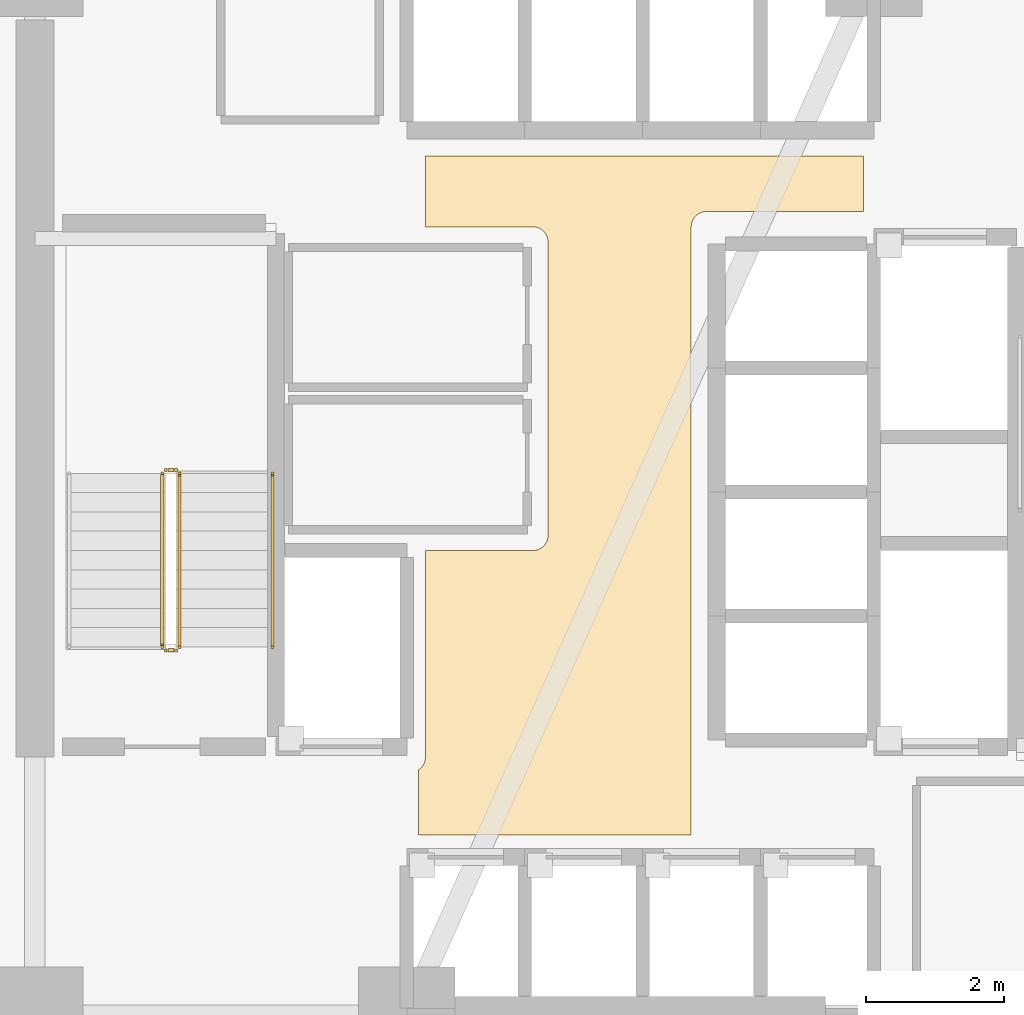
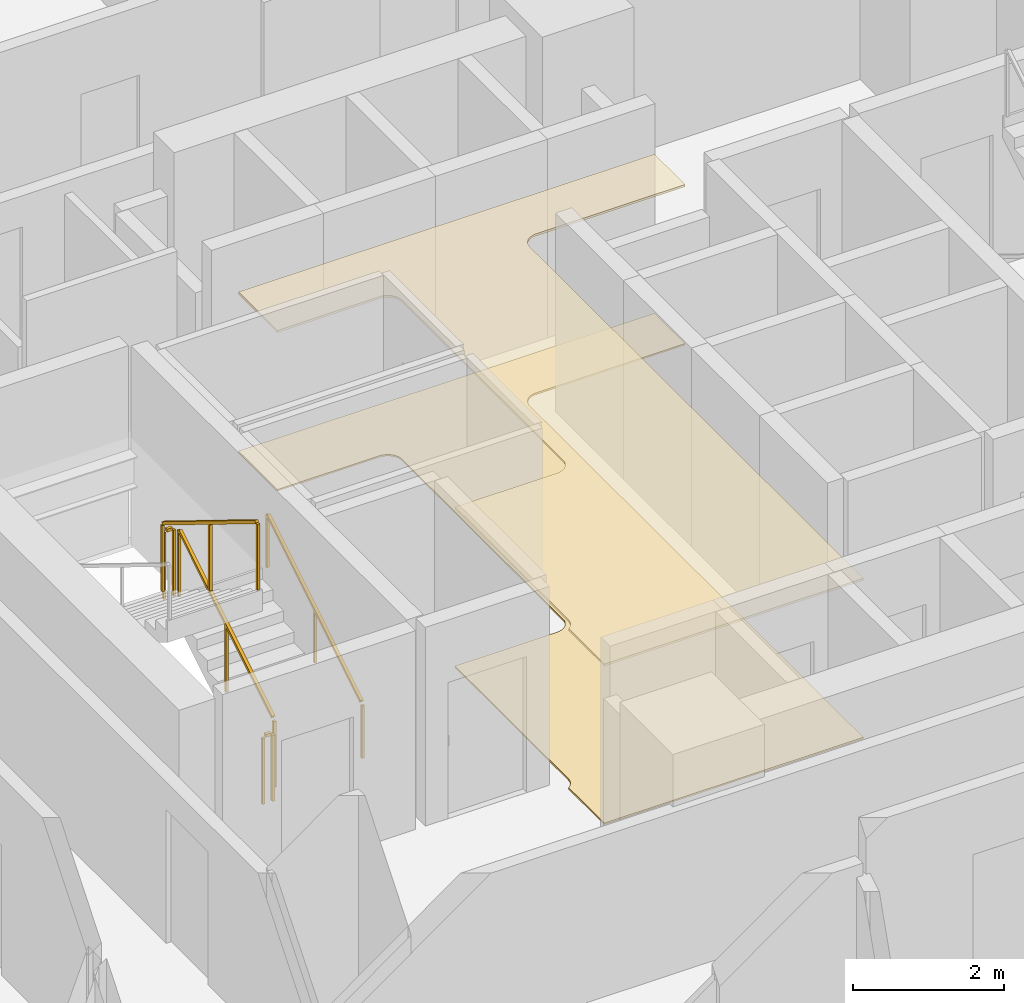
# One storey, part 12 of 15: 5 railings, 2 coverings.
"""IFC4 building model written with IfcOpenShell, lengths in metres."""

from ifc_helpers import new_model, si_unit, direction, frame, origin, origin_2d, place, context, subcontext, project, spatial, polyline, rectangle, outline, extrude, material, layer, layer_set, type_object, element, save


model = new_model("IFC4")

# Units and contexts
model_context = context("Model", 3, precision=1e-05, world=origin(), true_north=direction((0.0, 1.0)))
body_context = subcontext(model_context, "Body", "Model", "MODEL_VIEW")
ifc_project = project(units=[si_unit("LENGTHUNIT", "METRE"), si_unit("AREAUNIT", "SQUARE_METRE"), si_unit("VOLUMEUNIT", "CUBIC_METRE"), si_unit("PLANEANGLEUNIT", "RADIAN"), si_unit("MASSUNIT", "GRAM", prefix="KILO")], contexts=[model_context])

# Site, building, storey
site_placement = place(None, origin())
site = spatial("IfcSite", under=ifc_project, at=site_placement, CompositionType="ELEMENT")
building_placement = place(site_placement, origin())
building = spatial("IfcBuilding", under=site, at=building_placement, Name="Tharavind Bronze Gate", CompositionType="ELEMENT")
storey_placement = place(building_placement, frame((0.0, 0.0, 77.64990234375)))
storey = spatial("IfcBuildingStorey", under=building, at=storey_placement, Name="L19", CompositionType="ELEMENT", Elevation=77.64990234375)

# Coverings
ifc_material_1 = material(Name="Perforated Bronze Acoustic Panel", Category="bronze")
ifc_layer_1 = layer(ifc_material_1, 0.044921875)
ifc_layer_set_1 = layer_set([ifc_layer_1], Name="Perforated Bronze Acoustic Panel")
covering_type_1 = type_object("IfcCoveringType", Name="ACOUSTIC BRONZE BAFFLE CEILING", PredefinedType="CEILING", material=ifc_layer_set_1)
covering_1_placement = place(storey_placement, frame((0.0, 0.0, 2.56005859375)))
element("IfcCovering", 1, at=covering_1_placement, inside=storey, type_object=covering_type_1, Name="L19-C-LL suspended ceiling", PredefinedType="CEILING", context=body_context, shape_type="SweptSolid", body=[
    extrude(outline(polyline([(-3.330078125, -4.97998046875), (0.6298828125, -4.97998046875), (0.6298828125, 3.85009765625), (0.631103515625, 3.87158203125), (0.63427734375, 3.892822265625), (0.639404296875, 3.913818359375), (0.646728515625, 3.93408203125), (0.656005859375, 3.95361328125), (0.6669921875, 3.97216796875), (0.679931640625, 3.989501953125), (0.6943359375, 4.005615234375), (0.71044921875, 4.02001953125), (0.727783203125, 4.032958984375), (0.746337890625, 4.0439453125), (0.765869140625, 4.05322265625), (0.7861328125, 4.060546875), (0.80712890625, 4.06591796875), (0.828369140625, 4.06884765625), (0.85009765625, 4.070068359375), (3.1298828125, 4.070068359375), (3.1298828125, 4.8798828125), (-3.22998046875, 4.8798828125), (-3.22998046875, 3.85009765625), (-1.669921875, 3.85009765625), (-1.6484375, 3.848876953125), (-1.627197265625, 3.845703125), (-1.606201171875, 3.840576171875), (-1.585693359375, 3.833251953125), (-1.56640625, 3.823974609375), (-1.5478515625, 3.81298828125), (-1.530517578125, 3.800048828125), (-1.514404296875, 3.78564453125), (-1.5, 3.76953125), (-1.487060546875, 3.752197265625), (-1.47607421875, 3.733642578125), (-1.466796875, 3.714111328125), (-1.45947265625, 3.69384765625), (-1.4541015625, 3.6728515625), (-1.451171875, 3.651611328125), (-1.449951171875, 3.6298828125), (-1.449951171875, 1.43994140625), (-1.450439453125, 1.429931640625), (-1.449951171875, 1.419921875), (-1.449951171875, -0.6298828125), (-1.451171875, -0.651611328125), (-1.4541015625, -0.6728515625), (-1.45947265625, -0.69384765625), (-1.466796875, -0.714111328125), (-1.47607421875, -0.733642578125), (-1.487060546875, -0.752197265625), (-1.5, -0.76953125), (-1.514404296875, -0.78564453125), (-1.530517578125, -0.800048828125), (-1.5478515625, -0.81298828125), (-1.56640625, -0.823974609375), (-1.585693359375, -0.833251953125), (-1.606201171875, -0.840576171875), (-1.627197265625, -0.845703125), (-1.6484375, -0.848876953125), (-1.669921875, -0.85009765625), (-3.22998046875, -0.85009765625), (-3.22998046875, -3.85009765625), (-3.231201171875, -3.87158203125), (-3.234130859375, -3.892822265625), (-3.239501953125, -3.913818359375), (-3.24658203125, -3.93408203125), (-3.256103515625, -3.95361328125), (-3.26708984375, -3.97216796875), (-3.27978515625, -3.989501953125), (-3.29443359375, -4.005615234375), (-3.310302734375, -4.02001953125), (-3.327880859375, -4.032958984375), (-3.330078125, -4.0341796875), (-3.330078125, -4.97998046875)])), origin(), (0.0, 0.0, 1.0), 0.03515625),
])
ifc_material_2 = material(Name="Honed Travertine Limestone", Category="masonry")
ifc_layer_2 = layer(ifc_material_2, 0.030029296875)
ifc_layer_set_2 = layer_set([ifc_layer_2], Name="Honed Travertine Limestone")
covering_type_2 = type_object("IfcCoveringType", Name="HONED LIMESTONE FLOORING", PredefinedType="FLOORING", material=ifc_layer_set_2)
covering_2_placement = place(storey_placement, origin())
element("IfcCovering", 2, at=covering_2_placement, inside=storey, type_object=covering_type_2, Name="L19-C-LL floor finish", PredefinedType="FLOORING", context=body_context, shape_type="SweptSolid", body=[
    extrude(outline(polyline([(-3.330078125, -4.97998046875), (0.6298828125, -4.97998046875), (0.6298828125, 3.85009765625), (0.631103515625, 3.87158203125), (0.63427734375, 3.892822265625), (0.639404296875, 3.913818359375), (0.646728515625, 3.93408203125), (0.656005859375, 3.95361328125), (0.6669921875, 3.97216796875), (0.679931640625, 3.989501953125), (0.6943359375, 4.005615234375), (0.71044921875, 4.02001953125), (0.727783203125, 4.032958984375), (0.746337890625, 4.0439453125), (0.765869140625, 4.05322265625), (0.7861328125, 4.060546875), (0.80712890625, 4.06591796875), (0.828369140625, 4.06884765625), (0.85009765625, 4.070068359375), (3.1298828125, 4.070068359375), (3.1298828125, 4.8798828125), (-3.22998046875, 4.8798828125), (-3.22998046875, 3.85009765625), (-1.669921875, 3.85009765625), (-1.6484375, 3.848876953125), (-1.627197265625, 3.845703125), (-1.606201171875, 3.840576171875), (-1.585693359375, 3.833251953125), (-1.56640625, 3.823974609375), (-1.5478515625, 3.81298828125), (-1.530517578125, 3.800048828125), (-1.514404296875, 3.78564453125), (-1.5, 3.76953125), (-1.487060546875, 3.752197265625), (-1.47607421875, 3.733642578125), (-1.466796875, 3.714111328125), (-1.45947265625, 3.69384765625), (-1.4541015625, 3.6728515625), (-1.451171875, 3.651611328125), (-1.449951171875, 3.6298828125), (-1.449951171875, 1.43994140625), (-1.450439453125, 1.429931640625), (-1.449951171875, 1.419921875), (-1.449951171875, -0.6298828125), (-1.451171875, -0.651611328125), (-1.4541015625, -0.6728515625), (-1.45947265625, -0.69384765625), (-1.466796875, -0.714111328125), (-1.47607421875, -0.733642578125), (-1.487060546875, -0.752197265625), (-1.5, -0.76953125), (-1.514404296875, -0.78564453125), (-1.530517578125, -0.800048828125), (-1.5478515625, -0.81298828125), (-1.56640625, -0.823974609375), (-1.585693359375, -0.833251953125), (-1.606201171875, -0.840576171875), (-1.627197265625, -0.845703125), (-1.6484375, -0.848876953125), (-1.669921875, -0.85009765625), (-3.22998046875, -0.85009765625), (-3.22998046875, -3.85009765625), (-3.231201171875, -3.87158203125), (-3.234130859375, -3.892822265625), (-3.239501953125, -3.913818359375), (-3.24658203125, -3.93408203125), (-3.256103515625, -3.95361328125), (-3.26708984375, -3.97216796875), (-3.27978515625, -3.989501953125), (-3.29443359375, -4.005615234375), (-3.310302734375, -4.02001953125), (-3.327880859375, -4.032958984375), (-3.330078125, -4.0341796875), (-3.330078125, -4.97998046875)])), origin(), (0.0, 0.0, 1.0), 0.025146484375),
])

# Railings
ifc_material_3 = material(Name="Brushed Bronze Alloy", Category="metal")
railing_type_1 = type_object("IfcRailingType", Name="STAIR BRONZE HANDRAIL 900", PredefinedType="HANDRAIL", material=ifc_material_3)
railing_1_placement = place(storey_placement, frame((-5.449951171875, -2.25, 0.172607421875)))
element("IfcRailing", 3, at=railing_1_placement, inside=storey, type_object=railing_type_1, Name="L19 ST1 stair handrail 1", PredefinedType="HANDRAIL", context=body_context, shape_type="SweptSolid", body=[
    extrude(rectangle(XDim=0.048095703125, YDim=0.048095703125, at=origin_2d()), frame((0.0, 0.02734375, 0.892578125), z_axis=(0.0, 0.851400495292, 0.524516154772), x_axis=(-1.0, 0.0, 0.0)), (0.0, 0.0, 1.0), 2.895751953125),
    extrude(rectangle(XDim=0.0400390625, YDim=0.0400390625, at=origin_2d()), origin(), (0.0, 0.0, 1.0), 0.847900390625),
    extrude(rectangle(XDim=0.0400390625, YDim=0.0400390625, at=origin_2d()), frame((0.0, 1.260009765625, 0.7763671875)), (0.0, 0.0, 1.0), 0.847900390625),
    extrude(rectangle(XDim=0.0400390625, YDim=0.0400390625, at=origin_2d()), frame((0.0, 2.52001953125, 1.552490234375)), (0.0, 0.0, 1.0), 0.847900390625),
])
railing_type_2 = type_object("IfcRailingType", Name="STAIR WELL GUARD RAILING 1120", PredefinedType="GUARDRAIL", material=ifc_material_3)
railing_2_placement = place(storey_placement, frame((-6.800048828125, -2.25, 0.172607421875)))
element("IfcRailing", 4, at=railing_2_placement, inside=storey, type_object=railing_type_2, Name="L19 ST1 stair guard 1", PredefinedType="GUARDRAIL", context=body_context, shape_type="SweptSolid", body=[
    extrude(rectangle(XDim=0.048095703125, YDim=0.048095703125, at=origin_2d()), frame((0.0, 0.02734375, 1.11279296875), z_axis=(0.0, 0.851400495292, 0.524516154772), x_axis=(-1.0, 0.0, 0.0)), (0.0, 0.0, 1.0), 2.895751953125),
    extrude(rectangle(XDim=0.0400390625, YDim=0.0400390625, at=origin_2d()), origin(), (0.0, 0.0, 1.0), 1.068115234375),
    extrude(rectangle(XDim=0.0400390625, YDim=0.0400390625, at=origin_2d()), frame((0.0, 1.260009765625, 0.7763671875)), (0.0, 0.0, 1.0), 1.068115234375),
    extrude(rectangle(XDim=0.0400390625, YDim=0.0400390625, at=origin_2d()), frame((0.0, 2.52001953125, 1.552490234375)), (0.0, 0.0, 1.0), 1.068115234375),
])
railing_3_placement = place(storey_placement, frame((-6.85009765625, 0.320068359375, 1.72509765625)))
element("IfcRailing", 5, at=railing_3_placement, inside=storey, type_object=railing_type_2, Name="L19 ST1 stair guard 2", PredefinedType="GUARDRAIL", context=body_context, shape_type="SweptSolid", body=[
    extrude(rectangle(XDim=0.048095703125, YDim=0.048095703125, at=origin_2d()), frame((-0.031982421875, 0.0, 1.09619140625), z_axis=(-1.0, 0.0, 0.0), x_axis=(0.0, -1.0, 0.0)), (0.0, 0.0, 1.0), 0.0859375),
    extrude(rectangle(XDim=0.0400390625, YDim=0.0400390625, at=origin_2d()), origin(), (0.0, 0.0, 1.0), 1.068115234375),
    extrude(rectangle(XDim=0.0400390625, YDim=0.0400390625, at=origin_2d()), frame((-0.14990234375, 0.0, 0.0)), (0.0, 0.0, 1.0), 1.068115234375),
])
railing_4_placement = place(storey_placement, frame((-7.050048828125, 0.27001953125, 1.897705078125)))
element("IfcRailing", 6, at=railing_4_placement, inside=storey, type_object=railing_type_2, Name="L19 ST1 stair guard 3", PredefinedType="GUARDRAIL", context=body_context, shape_type="SweptSolid", body=[
    extrude(rectangle(XDim=0.048095703125, YDim=0.048095703125, at=origin_2d()), frame((0.0, -0.02734375, 1.11279296875), z_axis=(0.0, -0.851400495292, 0.524516154772), x_axis=(1.0, 0.0, 0.0)), (0.0, 0.0, 1.0), 2.895751953125),
    extrude(rectangle(XDim=0.0400390625, YDim=0.0400390625, at=origin_2d()), origin(), (0.0, 0.0, 1.0), 1.068115234375),
    extrude(rectangle(XDim=0.0400390625, YDim=0.0400390625, at=origin_2d()), frame((0.0, -1.260009765625, 0.7763671875)), (0.0, 0.0, 1.0), 1.068115234375),
    extrude(rectangle(XDim=0.0400390625, YDim=0.0400390625, at=origin_2d()), frame((0.0, -2.52001953125, 1.552490234375)), (0.0, 0.0, 1.0), 1.068115234375),
])
railing_5_placement = place(storey_placement, frame((-6.85009765625, -2.300048828125, 0.0)))
element("IfcRailing", 7, at=railing_5_placement, inside=storey, type_object=railing_type_2, Name="L19 ST1 stair guard 4", PredefinedType="GUARDRAIL", context=body_context, shape_type="SweptSolid", body=[
    extrude(rectangle(XDim=0.048095703125, YDim=0.048095703125, at=origin_2d()), frame((-0.031982421875, 0.0, 1.09619140625), z_axis=(-1.0, 0.0, 0.0), x_axis=(0.0, -1.0, 0.0)), (0.0, 0.0, 1.0), 0.0859375),
    extrude(rectangle(XDim=0.0400390625, YDim=0.0400390625, at=origin_2d()), origin(), (0.0, 0.0, 1.0), 1.068115234375),
    extrude(rectangle(XDim=0.0400390625, YDim=0.0400390625, at=origin_2d()), frame((-0.14990234375, 0.0, 0.0)), (0.0, 0.0, 1.0), 1.068115234375),
])

save(model, "model.ifc")
